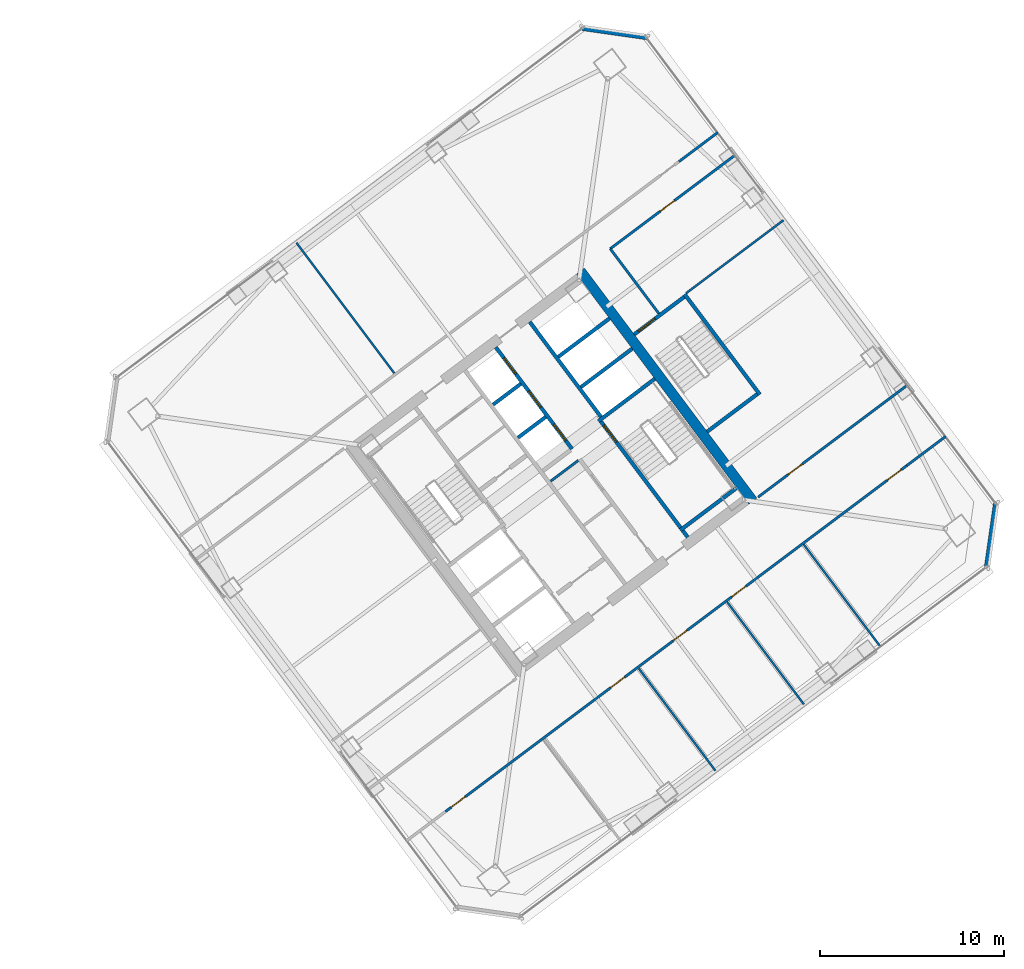
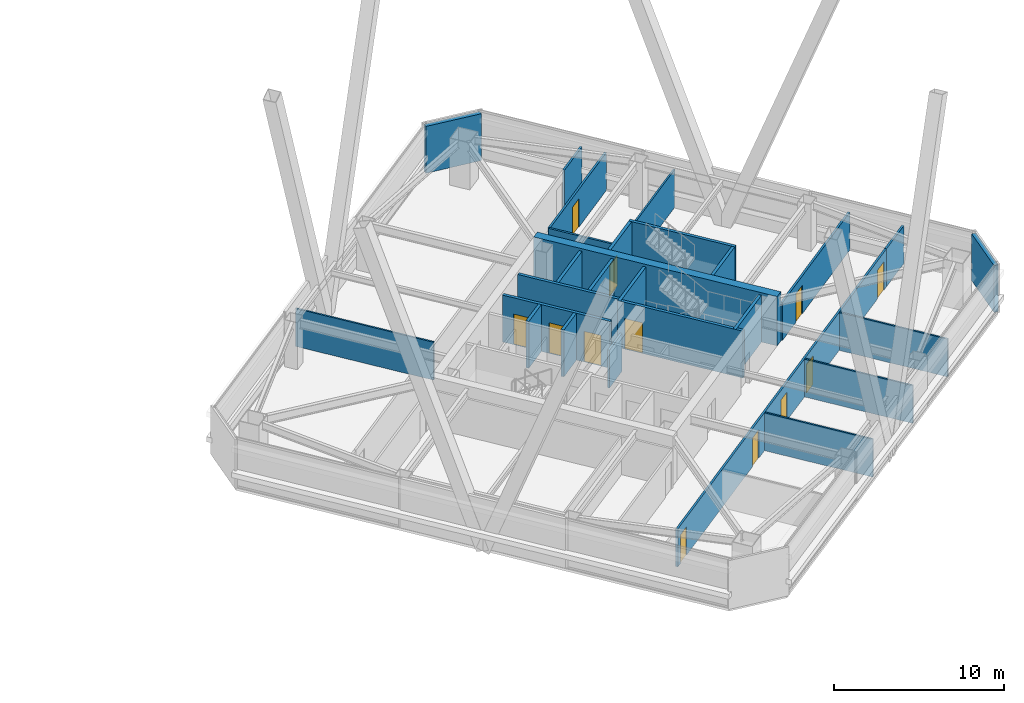
# One storey, part 43 of 50: 27 walls, 12 doors, 12 openings.
"""IFC4 building model written with IfcOpenShell, lengths in metres."""

import ifcopenshell
import ifcopenshell.guid

model = None  # the IFC model being written
_history = None  # IfcOwnerHistory: only IFC2X3 demands one
_inside = {}  # id of a spatial element -> (the spatial element, [elements in it])
_under = {}  # id of a project, library or spatial element -> (it, [spatial elements below it])
_declared = {}  # id of a project -> (the project, [libraries it declares])
_typed = {}  # id of a type object -> (the type object, [elements of that type])
_made_of = {}  # id of a material, layer set ... -> (it, [elements and type objects made of it])


def new_model(schema):
    """Start an empty IFC model of exactly this schema.

    Asked for "IFC4X3", IfcOpenShell would pick the latest addendum, in which some entities
    have other attributes; the version numbers below select the first issue.
    IFC2X3 requires an IfcOwnerHistory on every rooted entity: one is made here for all.
    """
    global model, _history
    if schema == "IFC4X3":
        model = ifcopenshell.file(schema_version=(4, 3, 0, 0))
    else:
        model = ifcopenshell.file(schema=schema)
    _inside.clear()
    _under.clear()
    _declared.clear()
    _typed.clear()
    _made_of.clear()
    _history = None
    if model.schema == "IFC2X3":
        org = make("IfcOrganization", Name="unknown")
        user = make(
            "IfcPersonAndOrganization",
            ThePerson=make("IfcPerson", FamilyName="unknown"),
            TheOrganization=org,
        )
        app = make(
            "IfcApplication",
            ApplicationDeveloper=org,
            Version="unknown",
            ApplicationFullName="unknown",
            ApplicationIdentifier="unknown",
        )
        _history = make(
            "IfcOwnerHistory",
            OwningUser=user,
            OwningApplication=app,
            ChangeAction="ADDED",
            CreationDate=0,
        )
    return model


def make(cls, **values):
    """One entity of the class cls with the attributes given. An attribute that is None is left unset."""
    return model.create_entity(
        cls, **{name: value for name, value in values.items() if value is not None}
    )


def rooted(cls, **values):
    """An entity with a GlobalId (a new one), such as an element, a storey or a relation."""
    return make(cls, GlobalId=ifcopenshell.guid.new(), OwnerHistory=_history, **values)


def si_unit(unit_type, name, prefix=None):
    """IfcSIUnit, for example si_unit("LENGTHUNIT", "METRE", prefix="MILLI")."""
    return make("IfcSIUnit", UnitType=unit_type, Prefix=prefix, Name=name)


def assignment(units):
    """IfcUnitAssignment: the units of a project."""
    return None if units is None else make("IfcUnitAssignment", Units=units)


def point(xyz):
    """IfcCartesianPoint."""
    return None if xyz is None else make("IfcCartesianPoint", Coordinates=xyz)


def direction(xyz):
    """IfcDirection."""
    return None if xyz is None else make("IfcDirection", DirectionRatios=xyz)


def frame(location, z_axis=None, x_axis=None):
    """IfcAxis2Placement3D, a coordinate frame: its origin and axes. An axis left out is left unset."""
    return make(
        "IfcAxis2Placement3D",
        Location=point(location),
        Axis=direction(z_axis),
        RefDirection=direction(x_axis),
    )


def frame_2d(location, x_axis=None):
    """IfcAxis2Placement2D, a coordinate frame in the plane: its origin and x axis."""
    return make(
        "IfcAxis2Placement2D", Location=point(location), RefDirection=direction(x_axis)
    )


def origin():
    """The frame at (0, 0, 0) with its axes left unset."""
    return frame((0.0, 0.0, 0.0))


def place(relative_to, where):
    """IfcLocalPlacement: puts the frame where relative to a parent placement (None: the world)."""
    return make(
        "IfcLocalPlacement", PlacementRelTo=relative_to, RelativePlacement=where
    )


def context(
    kind, dimensions, precision=None, world=None, true_north=None, identifier=None
):
    """IfcGeometricRepresentationContext, for example the 3D "Model" context."""
    return make(
        "IfcGeometricRepresentationContext",
        ContextIdentifier=identifier,
        ContextType=kind,
        CoordinateSpaceDimension=dimensions,
        Precision=precision,
        WorldCoordinateSystem=world,
        TrueNorth=true_north,
    )


def subcontext(parent, identifier, kind, view, scale=None):
    """IfcGeometricRepresentationSubContext, for example "Body" below "Model"."""
    return make(
        "IfcGeometricRepresentationSubContext",
        ContextIdentifier=identifier,
        ContextType=kind,
        ParentContext=parent,
        TargetScale=scale,
        TargetView=view,
    )


def project(units=None, contexts=None):
    """IfcProject with its units and contexts."""
    return rooted(
        "IfcProject",
        Name="project",
        RepresentationContexts=contexts,
        UnitsInContext=assignment(units),
    )


def spatial(cls, under=None, at=None, **own):
    """A site, building, storey or space (cls), placed at a placement, below another one or the project."""
    s = rooted(cls, ObjectPlacement=at, **own)
    if under is not None:
        _under.setdefault(under.id(), (under, []))[1].append(s)
    return s


def profile(cls, at=None, kind="AREA", **sizes):
    """A parametric profile (cls). Its sizes go by their IFC names, for example OverallWidth=200.0."""
    return make(cls, ProfileType=kind, Position=at, **sizes)


def rectangle(**sizes):
    """IfcRectangleProfileDef."""
    return profile("IfcRectangleProfileDef", **sizes)


def extrude(swept, where, along, depth):
    """IfcExtrudedAreaSolid: the profile swept, set in the frame where, extruded along a direction by depth."""
    return make(
        "IfcExtrudedAreaSolid",
        SweptArea=swept,
        Position=where,
        ExtrudedDirection=direction(along),
        Depth=depth,
    )


def shape(context_of_items, identifier, shape_type, items):
    """IfcShapeRepresentation: the items that make up one representation, for example the "Body"."""
    return make(
        "IfcShapeRepresentation",
        ContextOfItems=context_of_items,
        RepresentationIdentifier=identifier,
        RepresentationType=shape_type,
        Items=items,
    )


def material(Name=None, Category=None):
    """IfcMaterial."""
    return make("IfcMaterial", Name=Name, Category=Category)


def layer(
    of_material, thickness, ventilated=None, Name=None, Category=None, Priority=None
):
    """IfcMaterialLayer: one layer of a wall or slab, of a material (None: an air gap)."""
    return make(
        "IfcMaterialLayer",
        Material=of_material,
        LayerThickness=thickness,
        IsVentilated=ventilated,
        Name=Name,
        Category=Category,
        Priority=Priority,
    )


def layer_set(layers, Name=None):
    """IfcMaterialLayerSet."""
    return make("IfcMaterialLayerSet", MaterialLayers=layers, LayerSetName=Name)


def made_of(thing, what):
    """Note that an element or type object is made of a material, layer set ...; save() writes the relation."""
    if what is not None:
        _made_of.setdefault(what.id(), (what, []))[1].append(thing)
    return thing


def type_object(cls, material=None, **own):
    """A type object (cls), such as IfcWallType, which elements share."""
    return made_of(rooted(cls, **own), material)


def element(
    cls,
    number,
    at=None,
    inside=None,
    cuts=None,
    type_object=None,
    material=None,
    context=None,
    identifier="Body",
    shape_type=None,
    held_by="IfcProductDefinitionShape",
    body=None,
    shapes=None,
    **own,
):
    """One element of the class cls, such as IfcWall. Its Tag is "e" and its number.

    at: its placement. inside: the storey or other place that contains it. cuts: it is an
    opening in that element (IfcRelVoidsElement). A single representation is given by context,
    identifier, shape_type and body (its items); several are given by shapes. held_by: the class
    of the entity that holds the representations. save() writes the other relations.
    """
    e = rooted(cls, Tag="e%d" % number, ObjectPlacement=at, **own)
    if body is not None:
        shapes = [shape(context, identifier, shape_type, body)]
    if shapes is not None:
        e.Representation = make(held_by, Representations=shapes)
    if inside is not None:
        _inside.setdefault(inside.id(), (inside, []))[1].append(e)
    if cuts is not None:
        rooted(
            "IfcRelVoidsElement", RelatingBuildingElement=cuts, RelatedOpeningElement=e
        )
    if type_object is not None:
        _typed.setdefault(type_object.id(), (type_object, []))[1].append(e)
    return made_of(e, material)


def fill(opening, filler):
    """IfcRelFillsElement: the door or window that sits in an opening."""
    return rooted(
        "IfcRelFillsElement",
        RelatingOpeningElement=opening,
        RelatedBuildingElement=filler,
    )


def aggregate(whole, parts):
    """IfcRelAggregates: a whole, such as a stair, and the parts it consists of."""
    return rooted("IfcRelAggregates", RelatingObject=whole, RelatedObjects=parts)


def save(model, path):
    """Write the relations noted so far, then the file.

    IfcRelAggregates (storeys below a building ...), IfcRelContainedInSpatialStructure (elements
    in a storey), IfcRelDefinesByType, IfcRelAssociatesMaterial and IfcRelDeclares: one each for
    every whole, place, type object, material and project.
    """
    for whole, parts in _under.values():
        aggregate(whole, parts)
    for where, things in _inside.values():
        rooted(
            "IfcRelContainedInSpatialStructure",
            RelatedElements=things,
            RelatingStructure=where,
        )
    for kind, things in _typed.values():
        rooted("IfcRelDefinesByType", RelatedObjects=things, RelatingType=kind)
    for what, things in _made_of.values():
        rooted("IfcRelAssociatesMaterial", RelatedObjects=things, RelatingMaterial=what)
    for by, libraries in _declared.values():
        rooted("IfcRelDeclares", RelatingContext=by, RelatedDefinitions=libraries)
    model.write(path)


model = new_model("IFC4")

# Units and contexts
model_context = context("Model", 3, precision=1e-05, world=origin(), true_north=direction((0.0, 1.0)))
body_context = subcontext(model_context, "Body", "Model", "MODEL_VIEW")
ifc_project = project(units=[si_unit("LENGTHUNIT", "METRE"), si_unit("AREAUNIT", "SQUARE_METRE"), si_unit("VOLUMEUNIT", "CUBIC_METRE"), si_unit("PLANEANGLEUNIT", "RADIAN"), si_unit("MASSUNIT", "GRAM", prefix="KILO")], contexts=[model_context])

# Site, building, storey
site_placement = place(None, origin())
site = spatial("IfcSite", under=ifc_project, at=site_placement, CompositionType="ELEMENT")
building_placement = place(site_placement, origin())
building = spatial("IfcBuilding", under=site, at=building_placement, Name="Tashvorn Skyway Center", CompositionType="ELEMENT")
storey_placement = place(building_placement, frame((0.0, 0.0, 114.39990234375)))
storey = spatial("IfcBuildingStorey", under=building, at=storey_placement, Name="L30", CompositionType="ELEMENT", Elevation=114.39990234375)

# Walls
ifc_material_1 = material(Name="Concrete C60/75", Category="concrete")
ifc_layer_1 = layer(ifc_material_1, 0.550048828125)
ifc_layer_set_1 = layer_set([ifc_layer_1], Name="Concrete C60/75")
wall_type_1 = type_object("IfcWallType", Name="WALL-CORE-550", PredefinedType="SHEAR", material=ifc_layer_set_1)
wall_1_placement = place(storey_placement, frame((115.56396484375, 42.923095703125, 0.0), z_axis=(0.0, 0.0, 1.0), x_axis=(0.600005007985, -0.799996243986, 0.0)))
element("IfcWall", 1, at=wall_1_placement, inside=storey, type_object=wall_type_1, Name="Tower 2 L30 East Core Shear Wall", PredefinedType="SHEAR", context=body_context, shape_type="SweptSolid", body=[
    extrude(rectangle(XDim=15.60009765625, YDim=0.550048828125, at=frame_2d((7.800048828125, 0.0))), origin(), (0.0, 0.0, 1.0), 3.550048828125),
])
ifc_material_2 = material(Name="Precast concrete C40/50", Category="concrete")
ifc_layer_2 = layer(ifc_material_2, 0.280029296875)
ifc_layer_set_2 = layer_set([ifc_layer_2], Name="Precast concrete C40/50")
wall_type_2 = type_object("IfcWallType", Name="WALL-EXT-280", PredefinedType="SOLIDWALL", material=ifc_layer_set_2)
for number, where, z_axis, x_axis, name in (
    (2, (115.659912109375, 56.1201171875, 0.0), (0.0, 0.0, 1.0), (0.989949493661, -0.141421356237, 0.0), "Tower 2 L30 NE Precast Chamfer Wall"),
    (3, (138.1201171875, 30.340087890625, 0.0), (0.0, 0.0, 1.0), (-0.141421356237, -0.989949493661, 0.0), "Tower 2 L30 SE Precast Chamfer Wall"),
):
    element("IfcWall", number, at=place(storey_placement, frame(where, z_axis=z_axis, x_axis=x_axis)), inside=storey, type_object=wall_type_2, Name=name, PredefinedType="SOLIDWALL", context=body_context, shape_type="SweptSolid", body=[
        extrude(rectangle(XDim=3.53564453125, YDim=0.280029296875, at=frame_2d((1.767822265625, 0.0))), origin(), (0.0, 0.0, 1.0), 3.3701171875),
    ])
ifc_material_3 = material(Name="Gypsum board on cold-formed steel stud framing", Category="steel")
ifc_layer_3 = layer(ifc_material_3, 0.110107421875)
ifc_layer_set_3 = layer_set([ifc_layer_3], Name="Gypsum board on cold-formed steel stud framing")
wall_type_3 = type_object("IfcWallType", Name="WALL-PART-110", PredefinedType="PARTITIONING", material=ifc_layer_set_3)
wall_2_placement = place(storey_placement, frame((105.4619140625, 37.384033203125, 0.0), z_axis=(0.0, 0.0, 1.0), x_axis=(-0.599982344389, 0.800013241404, 0.0)))
element("IfcWall", 4, at=wall_2_placement, inside=storey, type_object=wall_type_3, Name="Tower 2 L30 North Suite Partition 1", PredefinedType="PARTITIONING", context=body_context, shape_type="SweptSolid", body=[
    extrude(rectangle(XDim=8.849853515625, YDim=0.110107421875, at=frame_2d((4.4248046875, 0.0))), origin(), (0.0, 0.0, 1.0), 2.72314453125),
])
wall_3_placement = place(storey_placement, frame((122.887939453125, 15.81591796875, 0.0), z_axis=(0.0, 0.0, 1.0), x_axis=(-0.599983090003, 0.800012682219, 0.0)))
element("IfcWall", 5, at=wall_3_placement, inside=storey, type_object=wall_type_3, Name="Tower 2 L30 South Suite Partition 2", PredefinedType="PARTITIONING", context=body_context, shape_type="SweptSolid", body=[
    extrude(rectangle(XDim=6.93017578125, YDim=0.110107421875, at=frame_2d((3.465087890625, 0.0))), origin(), (0.0, 0.0, 1.0), 2.72314453125),
])
wall_4_placement = place(storey_placement, frame((127.68798828125, 19.416015625, 0.0), z_axis=(0.0, 0.0, 1.0), x_axis=(-0.6, 0.8, 0.0)))
element("IfcWall", 6, at=wall_4_placement, inside=storey, type_object=wall_type_3, Name="Tower 2 L30 South Suite Partition 3", PredefinedType="PARTITIONING", context=body_context, shape_type="SweptSolid", body=[
    extrude(rectangle(XDim=6.929931640625, YDim=0.110107421875, at=frame_2d((3.46484375, 0.0))), origin(), (0.0, 0.0, 1.0), 2.72314453125),
])
wall_5_placement = place(storey_placement, frame((131.847900390625, 22.535888671875, 0.0), z_axis=(0.0, 0.0, 1.0), x_axis=(-0.599983090003, 0.800012682219, 0.0)))
element("IfcWall", 7, at=wall_5_placement, inside=storey, type_object=wall_type_3, Name="Tower 2 L30 South Suite Partition 4", PredefinedType="PARTITIONING", context=body_context, shape_type="SweptSolid", body=[
    extrude(rectangle(XDim=6.93017578125, YDim=0.110107421875, at=frame_2d((3.465087890625, 0.0))), origin(), (0.0, 0.0, 1.0), 2.72314453125),
])
wall_6_placement = place(storey_placement, frame((126.583984375, 45.68798828125, 0.0), z_axis=(0.0, 0.0, 1.0), x_axis=(-0.800004438899, -0.599994081423, 0.0)))
element("IfcWall", 8, at=wall_6_placement, inside=storey, type_object=wall_type_3, Name="Tower 2 L30 East Suite Partition 1", PredefinedType="PARTITIONING", context=body_context, shape_type="SweptSolid", body=[
    extrude(rectangle(XDim=6.60009765625, YDim=0.110107421875, at=frame_2d((3.300048828125, 0.0))), origin(), (0.0, 0.0, 1.0), 2.72314453125),
])
ifc_layer_4 = layer(ifc_material_3, 0.135009765625)
ifc_layer_set_4 = layer_set([ifc_layer_4], Name="Gypsum board on cold-formed steel stud framing")
wall_type_4 = type_object("IfcWallType", Name="WALL-PART-135", PredefinedType="PARTITIONING", material=ifc_layer_set_4)
wall_7_placement = place(storey_placement, frame((119.823974609375, 40.617919921875, 0.0), z_axis=(0.0, 0.0, 1.0), x_axis=(-0.599982243973, 0.800013316712, 0.0)))
element("IfcWall", 9, at=wall_7_placement, inside=storey, type_object=wall_type_4, Name="Tower 2 L30 Stair 3 Access Corridor Wall", PredefinedType="PARTITIONING", context=body_context, shape_type="SweptSolid", body=[
    extrude(rectangle(XDim=4.39990234375, YDim=0.135009765625, at=frame_2d((2.199951171875, 0.0))), origin(), (0.0, 0.0, 1.0), 2.72314453125),
])
wall_8_placement = place(storey_placement, frame((120.909912109375, 48.8701171875, 0.0), z_axis=(0.0, 0.0, 1.0), x_axis=(0.80002227902, 0.599970293491, 0.0)))
element("IfcWall", 10, at=wall_8_placement, inside=storey, type_object=wall_type_4, Name="Tower 2 L30 North-East Suite South Wall", PredefinedType="PARTITIONING", context=body_context, shape_type="SweptSolid", body=[
    extrude(rectangle(XDim=2.6298828125, YDim=0.135009765625, at=frame_2d((1.31494140625, 0.0))), origin(), (0.0, 0.0, 1.0), 2.72314453125),
])

# Wall, openings, doors
wall_9_placement = place(storey_placement, frame((133.281982421875, 32.3740234375, 0.0), z_axis=(0.0, 0.0, 1.0), x_axis=(-0.8, -0.6, 0.0)))
wall_9 = element("IfcWall", 11, at=wall_9_placement, inside=storey, type_object=wall_type_4, Name="Tower 2 L30 South Suite Wall", PredefinedType="PARTITIONING", context=body_context, shape_type="SweptSolid", body=[
    extrude(rectangle(XDim=31.300048828125, YDim=0.135009765625, at=frame_2d((15.64990234375, 0.0))), origin(), (0.0, 0.0, 1.0), 2.72314453125),
])
opening_1_placement = place(wall_9_placement, frame((29.969970703125, 0.0, 0.0)))
opening_1 = element("IfcOpeningElement", 12, at=opening_1_placement, cuts=wall_9, Name="Opening D-INT-950", PredefinedType="OPENING", context=body_context, shape_type="SweptSolid", body=[
    extrude(rectangle(XDim=0.949951171875, YDim=2.050048828125, at=frame_2d((0.47509765625, 1.02490234375))), frame((0.0, 0.077392578125, 0.0), z_axis=(0.0, -1.0, 0.0), x_axis=(1.0, 0.0, 0.0)), (0.0, 0.0, 1.0), 0.155029296875),
])
opening_2_placement = place(wall_9_placement, frame((19.151123046875, 0.0, 0.0)))
opening_2 = element("IfcOpeningElement", 13, at=opening_2_placement, cuts=wall_9, Name="Opening D-INT-950", PredefinedType="OPENING", context=body_context, shape_type="SweptSolid", body=[
    extrude(rectangle(XDim=0.949951171875, YDim=2.050048828125, at=frame_2d((0.47509765625, 1.02490234375))), frame((0.0, 0.077392578125, 0.0), z_axis=(0.0, -1.0, 0.0), x_axis=(1.0, 0.0, 0.0)), (0.0, 0.0, 1.0), 0.155029296875),
])
opening_3_placement = place(wall_9_placement, frame((14.901123046875, 0.0, 0.0)))
opening_3 = element("IfcOpeningElement", 14, at=opening_3_placement, cuts=wall_9, Name="Opening D-INT-950", PredefinedType="OPENING", context=body_context, shape_type="SweptSolid", body=[
    extrude(rectangle(XDim=0.949951171875, YDim=2.050048828125, at=frame_2d((0.47509765625, 1.02490234375))), frame((0.0, 0.077392578125, 0.0), z_axis=(0.0, -1.0, 0.0), x_axis=(1.0, 0.0, 0.0)), (0.0, 0.0, 1.0), 0.155029296875),
])
opening_4_placement = place(wall_9_placement, frame((10.919921875, 0.0, 0.0)))
opening_4 = element("IfcOpeningElement", 15, at=opening_4_placement, cuts=wall_9, Name="Opening D-INT-950", PredefinedType="OPENING", context=body_context, shape_type="SweptSolid", body=[
    extrude(rectangle(XDim=0.949951171875, YDim=2.050048828125, at=frame_2d((0.47509765625, 1.02490234375))), frame((0.0, 0.077392578125, 0.0), z_axis=(0.0, -1.0, 0.0), x_axis=(1.0, 0.0, 0.0)), (0.0, 0.0, 1.0), 0.155029296875),
])
opening_5_placement = place(wall_9_placement, frame((0.3798828125, 0.0, 0.0)))
opening_5 = element("IfcOpeningElement", 16, at=opening_5_placement, cuts=wall_9, Name="Opening D-INT-950", PredefinedType="OPENING", context=body_context, shape_type="SweptSolid", body=[
    extrude(rectangle(XDim=0.949951171875, YDim=2.050048828125, at=frame_2d((0.47509765625, 1.02490234375))), frame((0.0, 0.077392578125, 0.0), z_axis=(0.0, -1.0, 0.0), x_axis=(1.0, 0.0, 0.0)), (0.0, 0.0, 1.0), 0.155029296875),
])
ifc_material_4 = material(Name="Solid-core architectural oak veneer door")
door_type_1 = type_object("IfcDoorType", Name="DOOR-INT-950", OperationType="NOTDEFINED", PredefinedType="DOOR", material=ifc_material_4)
door_1_placement = place(opening_1_placement, origin())
door_1 = element("IfcDoor", 17, at=door_1_placement, inside=storey, type_object=door_type_1, Name="Tower 2 L30 Executive Study Lounge Door", OperationType="SINGLE_SWING_RIGHT", OverallHeight=2.050048828125, OverallWidth=0.949951171875, PredefinedType="DOOR", context=body_context, shape_type="SweptSolid", body=[
    extrude(rectangle(XDim=0.949951171875, YDim=2.050048828125, at=frame_2d((0.47509765625, 1.02490234375))), frame((0.0, 0.02490234375, 0.0), z_axis=(0.0, -1.0, 0.0), x_axis=(1.0, 0.0, 0.0)), (0.0, 0.0, 1.0), 0.050048828125),
])
fill(opening_1, door_1)
door_2_placement = place(opening_2_placement, origin())
door_2 = element("IfcDoor", 18, at=door_2_placement, inside=storey, type_object=door_type_1, Name="Tower 2 L30 Design Studio Door", OperationType="SINGLE_SWING_LEFT", OverallHeight=2.050048828125, OverallWidth=0.949951171875, PredefinedType="DOOR", context=body_context, shape_type="SweptSolid", body=[
    extrude(rectangle(XDim=0.949951171875, YDim=2.050048828125, at=frame_2d((0.47509765625, 1.02490234375))), frame((0.0, 0.02490234375, 0.0), z_axis=(0.0, -1.0, 0.0), x_axis=(1.0, 0.0, 0.0)), (0.0, 0.0, 1.0), 0.050048828125),
])
fill(opening_2, door_2)
door_3_placement = place(opening_3_placement, origin())
door_3 = element("IfcDoor", 19, at=door_3_placement, inside=storey, type_object=door_type_1, Name="Tower 2 L30 Design Studio Door", OperationType="SINGLE_SWING_RIGHT", OverallHeight=2.050048828125, OverallWidth=0.949951171875, PredefinedType="DOOR", context=body_context, shape_type="SweptSolid", body=[
    extrude(rectangle(XDim=0.949951171875, YDim=2.050048828125, at=frame_2d((0.47509765625, 1.02490234375))), frame((0.0, 0.02490234375, 0.0), z_axis=(0.0, -1.0, 0.0), x_axis=(1.0, 0.0, 0.0)), (0.0, 0.0, 1.0), 0.050048828125),
])
fill(opening_3, door_3)
door_4_placement = place(opening_4_placement, origin())
door_4 = element("IfcDoor", 20, at=door_4_placement, inside=storey, type_object=door_type_1, Name="Tower 2 L30 Reading Lounge Door", OperationType="SINGLE_SWING_LEFT", OverallHeight=2.050048828125, OverallWidth=0.949951171875, PredefinedType="DOOR", context=body_context, shape_type="SweptSolid", body=[
    extrude(rectangle(XDim=0.949951171875, YDim=2.050048828125, at=frame_2d((0.47509765625, 1.02490234375))), frame((0.0, 0.02490234375, 0.0), z_axis=(0.0, -1.0, 0.0), x_axis=(1.0, 0.0, 0.0)), (0.0, 0.0, 1.0), 0.050048828125),
])
fill(opening_4, door_4)
door_5_placement = place(opening_5_placement, origin())
door_5 = element("IfcDoor", 21, at=door_5_placement, inside=storey, type_object=door_type_1, Name="Tower 2 L30 Open Plan Office Door", OperationType="SINGLE_SWING_RIGHT", OverallHeight=2.050048828125, OverallWidth=0.949951171875, PredefinedType="DOOR", context=body_context, shape_type="SweptSolid", body=[
    extrude(rectangle(XDim=0.949951171875, YDim=2.050048828125, at=frame_2d((0.47509765625, 1.02490234375))), frame((0.0, 0.02490234375, 0.0), z_axis=(0.0, -1.0, 0.0), x_axis=(1.0, 0.0, 0.0)), (0.0, 0.0, 1.0), 0.050048828125),
])
fill(opening_5, door_5)

# Wall
wall_10_placement = place(storey_placement, frame((133.281982421875, 32.3740234375, 0.0), z_axis=(0.0, 0.0, 1.0), x_axis=(0.80002227902, 0.599970293491, 0.0)))
element("IfcWall", 22, at=wall_10_placement, inside=storey, type_object=wall_type_4, Name="Tower 2 L30 South-East Suite North Wall", PredefinedType="PARTITIONING", context=body_context, shape_type="SweptSolid", body=[
    extrude(rectangle(XDim=2.6298828125, YDim=0.135009765625, at=frame_2d((1.31494140625, 0.0))), origin(), (0.0, 0.0, 1.0), 2.72314453125),
])

# Wall, opening, door
wall_11_placement = place(storey_placement, frame((123.944091796875, 49.2080078125, 0.0), z_axis=(0.0, 0.0, 1.0), x_axis=(-0.799996532921, -0.600004622744, 0.0)))
wall_11 = element("IfcWall", 23, at=wall_11_placement, inside=storey, type_object=wall_type_4, Name="Tower 2 L30 East Suite North Wall", PredefinedType="PARTITIONING", context=body_context, shape_type="SweptSolid", body=[
    extrude(rectangle(XDim=8.449951171875, YDim=0.135009765625, at=frame_2d((4.22509765625, 0.0))), origin(), (0.0, 0.0, 1.0), 2.72314453125),
])
opening_6_placement = place(wall_11_placement, frame((4.10009765625, 0.0, 0.0)))
opening_6 = element("IfcOpeningElement", 24, at=opening_6_placement, cuts=wall_11, Name="Opening D-INT-950", PredefinedType="OPENING", context=body_context, shape_type="SweptSolid", body=[
    extrude(rectangle(XDim=0.949951171875, YDim=2.050048828125, at=frame_2d((0.47509765625, 1.02490234375))), frame((0.0, 0.077392578125, 0.0), z_axis=(0.0, -1.0, 0.0), x_axis=(1.0, 0.0, 0.0)), (0.0, 0.0, 1.0), 0.155029296875),
])
door_6_placement = place(opening_6_placement, origin())
door_6 = element("IfcDoor", 25, at=door_6_placement, inside=storey, type_object=door_type_1, Name="Tower 2 L30 Open Plan Office Door", OperationType="SINGLE_SWING_LEFT", OverallHeight=2.050048828125, OverallWidth=0.949951171875, PredefinedType="DOOR", context=body_context, shape_type="SweptSolid", body=[
    extrude(rectangle(XDim=0.949951171875, YDim=2.050048828125, at=frame_2d((0.47509765625, 1.02490234375))), frame((0.0, 0.02490234375, 0.0), z_axis=(0.0, -1.0, 0.0), x_axis=(1.0, 0.0, 0.0)), (0.0, 0.0, 1.0), 0.050048828125),
])
fill(opening_6, door_6)

wall_12_placement = place(storey_placement, frame((125.2080078125, 30.656005859375, 0.0), z_axis=(0.0, 0.0, 1.0), x_axis=(0.799997105034, 0.600003859935, 0.0)))
wall_12 = element("IfcWall", 26, at=wall_12_placement, inside=storey, type_object=wall_type_4, Name="Tower 2 L30 East Suite South Wall", PredefinedType="PARTITIONING", context=body_context, shape_type="SweptSolid", body=[
    extrude(rectangle(XDim=10.119873046875, YDim=0.135009765625, at=frame_2d((5.06005859375, 0.0))), origin(), (0.0, 0.0, 1.0), 2.72314453125),
])
opening_7_placement = place(wall_12_placement, frame((2.044921875, 0.0, 0.0)))
opening_7 = element("IfcOpeningElement", 27, at=opening_7_placement, cuts=wall_12, Name="Opening D-INT-950", PredefinedType="OPENING", context=body_context, shape_type="SweptSolid", body=[
    extrude(rectangle(XDim=0.949951171875, YDim=2.050048828125, at=frame_2d((0.47509765625, 1.02490234375))), frame((0.0, 0.077392578125, 0.0), z_axis=(0.0, -1.0, 0.0), x_axis=(1.0, 0.0, 0.0)), (0.0, 0.0, 1.0), 0.155029296875),
])
door_7_placement = place(opening_7_placement, origin())
door_7 = element("IfcDoor", 28, at=door_7_placement, inside=storey, type_object=door_type_1, Name="Tower 2 L30 Public Restroom Door", OperationType="SINGLE_SWING_RIGHT", OverallHeight=2.050048828125, OverallWidth=0.949951171875, PredefinedType="DOOR", context=body_context, shape_type="SweptSolid", body=[
    extrude(rectangle(XDim=0.949951171875, YDim=2.050048828125, at=frame_2d((0.47509765625, 1.02490234375))), frame((0.0, 0.02490234375, 0.0), z_axis=(0.0, -1.0, 0.0), x_axis=(1.0, 0.0, 0.0)), (0.0, 0.0, 1.0), 0.050048828125),
])
fill(opening_7, door_7)

# Walls
ifc_layer_5 = layer(ifc_material_3, 0.135009765625)
ifc_layer_set_5 = layer_set([ifc_layer_5], Name="Gypsum board on cold-formed steel stud framing")
wall_type_5 = type_object("IfcWallType", Name="WALL-RATED-135", PredefinedType="PARTITIONING", material=ifc_layer_set_5)
wall_13_placement = place(storey_placement, frame((113.946044921875, 31.52197265625, 0.0), z_axis=(0.0, 0.0, 1.0), x_axis=(0.8, 0.6, 0.0)))
element("IfcWall", 29, at=wall_13_placement, inside=storey, type_object=wall_type_5, Name="Tower 2 L30 Core Room Partition", PredefinedType="PARTITIONING", context=body_context, shape_type="SweptSolid", body=[
    extrude(rectangle(XDim=1.8798828125, YDim=0.135009765625, at=frame_2d((0.93994140625, 0.0))), origin(), (0.0, 0.0, 1.0), 2.72314453125),
])
ifc_material_5 = material(Name="Concrete C40/50", Category="concrete")
ifc_layer_6 = layer(ifc_material_5, 0.199951171875)
ifc_layer_set_6 = layer_set([ifc_layer_6], Name="Concrete C40/50")
wall_type_6 = type_object("IfcWallType", Name="WALL-SHAFT-200", PredefinedType="SOLIDWALL", material=ifc_layer_set_6)
for number, where, z_axis, x_axis, name in (
    (30, (115.590087890625, 36.6298828125, 0.0), (0.0, 0.0, 1.0), (0.799974743577, 0.600033673754, 0.0), "Tower 2 L30 High-Rise Shaft Divider"),
    (31, (114.360107421875, 38.27001953125, 0.0), (0.0, 0.0, 1.0), (0.800008418847, 0.599988774707, 0.0), "Tower 2 L30 High-Rise Shaft Divider"),
):
    element("IfcWall", number, at=place(storey_placement, frame(where, z_axis=z_axis, x_axis=x_axis)), inside=storey, type_object=wall_type_6, Name=name, PredefinedType="SOLIDWALL", context=body_context, shape_type="SweptSolid", body=[
        extrude(rectangle(XDim=3.47998046875, YDim=0.199951171875, at=frame_2d((1.739990234375, 0.0))), origin(), (0.0, 0.0, 1.0), 3.3701171875),
    ])

# Wall, openings, doors
wall_14_placement = place(storey_placement, frame((115.110107421875, 33.27001953125, 0.0), z_axis=(0.0, 0.0, 1.0), x_axis=(-0.600011322243, 0.799991508192, 0.0)))
wall_14 = element("IfcWall", 32, at=wall_14_placement, inside=storey, type_object=wall_type_6, Name="Tower 2 L30 Mid-Rise Core Wall", PredefinedType="SOLIDWALL", context=body_context, shape_type="SweptSolid", body=[
    extrude(rectangle(XDim=6.900146484375, YDim=0.199951171875, at=frame_2d((3.4501953125, 0.0))), origin(), (0.0, 0.0, 1.0), 3.3701171875),
])
opening_8_placement = place(wall_14_placement, frame((0.574951171875, 0.0, 0.0)))
opening_8 = element("IfcOpeningElement", 33, at=opening_8_placement, cuts=wall_14, Name="Opening LD-MR-T2-1-L30", PredefinedType="OPENING", context=body_context, shape_type="SweptSolid", body=[
    extrude(rectangle(XDim=1.10009765625, YDim=2.199951171875, at=frame_2d((0.550048828125, 1.10009765625))), frame((0.0, 0.10986328125, 0.0), z_axis=(0.0, -1.0, 0.0), x_axis=(1.0, 0.0, 0.0)), (0.0, 0.0, 1.0), 0.219970703125),
])
opening_9_placement = place(wall_14_placement, frame((2.824951171875, 0.0, 0.0)))
opening_9 = element("IfcOpeningElement", 34, at=opening_9_placement, cuts=wall_14, Name="Opening LD-MR-T2-2-L30", PredefinedType="OPENING", context=body_context, shape_type="SweptSolid", body=[
    extrude(rectangle(XDim=1.10009765625, YDim=2.199951171875, at=frame_2d((0.550048828125, 1.10009765625))), frame((0.0, 0.10986328125, 0.0), z_axis=(0.0, -1.0, 0.0), x_axis=(1.0, 0.0, 0.0)), (0.0, 0.0, 1.0), 0.219970703125),
])
opening_10_placement = place(wall_14_placement, frame((5.074951171875, 0.0, 0.0)))
opening_10 = element("IfcOpeningElement", 35, at=opening_10_placement, cuts=wall_14, Name="Opening LD-MR-T2-3-L30", PredefinedType="OPENING", context=body_context, shape_type="SweptSolid", body=[
    extrude(rectangle(XDim=1.10009765625, YDim=2.199951171875, at=frame_2d((0.550048828125, 1.10009765625))), frame((0.0, 0.10986328125, 0.0), z_axis=(0.0, -1.0, 0.0), x_axis=(1.0, 0.0, 0.0)), (0.0, 0.0, 1.0), 0.219970703125),
])
ifc_material_6 = material(Name="Stainless steel landing door", Category="steel")
door_type_2 = type_object("IfcDoorType", Name="DOOR-LIFT-1100", OperationType="SLIDING_TO_LEFT", PredefinedType="DOOR", material=ifc_material_6)
door_8_placement = place(opening_8_placement, origin())
door_8 = element("IfcDoor", 36, at=door_8_placement, inside=storey, type_object=door_type_2, Name="Lift MR-T2-1 L30 Landing Door", OperationType="SLIDING_TO_LEFT", OverallHeight=2.199951171875, OverallWidth=1.10009765625, PredefinedType="DOOR", context=body_context, shape_type="SweptSolid", body=[
    extrude(rectangle(XDim=1.10009765625, YDim=2.199951171875, at=frame_2d((0.550048828125, 1.10009765625))), frame((0.0, 0.02490234375, 0.0), z_axis=(0.0, -1.0, 0.0), x_axis=(1.0, 0.0, 0.0)), (0.0, 0.0, 1.0), 0.050048828125),
])
fill(opening_8, door_8)
door_9_placement = place(opening_9_placement, origin())
door_9 = element("IfcDoor", 37, at=door_9_placement, inside=storey, type_object=door_type_2, Name="Lift MR-T2-2 L30 Landing Door", OperationType="SLIDING_TO_LEFT", OverallHeight=2.199951171875, OverallWidth=1.10009765625, PredefinedType="DOOR", context=body_context, shape_type="SweptSolid", body=[
    extrude(rectangle(XDim=1.10009765625, YDim=2.199951171875, at=frame_2d((0.550048828125, 1.10009765625))), frame((0.0, 0.02490234375, 0.0), z_axis=(0.0, -1.0, 0.0), x_axis=(1.0, 0.0, 0.0)), (0.0, 0.0, 1.0), 0.050048828125),
])
fill(opening_9, door_9)
door_10_placement = place(opening_10_placement, origin())
door_10 = element("IfcDoor", 38, at=door_10_placement, inside=storey, type_object=door_type_2, Name="Lift MR-T2-3 L30 Landing Door", OperationType="SLIDING_TO_LEFT", OverallHeight=2.199951171875, OverallWidth=1.10009765625, PredefinedType="DOOR", context=body_context, shape_type="SweptSolid", body=[
    extrude(rectangle(XDim=1.10009765625, YDim=2.199951171875, at=frame_2d((0.550048828125, 1.10009765625))), frame((0.0, 0.02490234375, 0.0), z_axis=(0.0, -1.0, 0.0), x_axis=(1.0, 0.0, 0.0)), (0.0, 0.0, 1.0), 0.050048828125),
])
fill(opening_10, door_10)

# Walls
wall_15_placement = place(storey_placement, frame((112.176025390625, 33.882080078125, 0.0), z_axis=(0.0, 0.0, 1.0), x_axis=(0.8, 0.6, 0.0)))
element("IfcWall", 39, at=wall_15_placement, inside=storey, type_object=wall_type_6, Name="Tower 2 L30 Mid-Rise Shaft Divider", PredefinedType="SOLIDWALL", context=body_context, shape_type="SweptSolid", body=[
    extrude(rectangle(XDim=1.8798828125, YDim=0.199951171875, at=frame_2d((0.93994140625, 0.0))), origin(), (0.0, 0.0, 1.0), 3.3701171875),
])
wall_16_placement = place(storey_placement, frame((110.825927734375, 35.681884765625, 0.0), z_axis=(0.0, 0.0, 1.0), x_axis=(0.799984418148, 0.600020775241, 0.0)))
element("IfcWall", 40, at=wall_16_placement, inside=storey, type_object=wall_type_6, Name="Tower 2 L30 Mid-Rise Shaft Divider", PredefinedType="SOLIDWALL", context=body_context, shape_type="SweptSolid", body=[
    extrude(rectangle(XDim=1.880126953125, YDim=0.199951171875, at=frame_2d((0.93994140625, 0.0))), origin(), (0.0, 0.0, 1.0), 3.3701171875),
])

# Wall, opening, door
ifc_layer_7 = layer(ifc_material_5, 0.199951171875)
ifc_layer_set_7 = layer_set([ifc_layer_7], Name="Concrete C40/50")
wall_type_7 = type_object("IfcWallType", Name="WALL-STSHF-200", PredefinedType="SHEAR", material=ifc_layer_set_7)
wall_17_placement = place(storey_placement, frame((116.56005859375, 34.919921875, 0.0), z_axis=(0.0, 0.0, 1.0), x_axis=(0.59999029481, -0.8000072788, 0.0)))
wall_17 = element("IfcWall", 41, at=wall_17_placement, inside=storey, type_object=wall_type_7, Name="Tower 2 L30 Stair 2 Enclosure Wall", PredefinedType="SHEAR", context=body_context, shape_type="SweptSolid", body=[
    extrude(rectangle(XDim=8.0498046875, YDim=0.199951171875, at=frame_2d((4.02490234375, 0.0))), origin(), (0.0, 0.0, 1.0), 3.3701171875),
])
opening_11_placement = place(wall_17_placement, frame((0.449951171875, 0.0, 0.0)))
opening_11 = element("IfcOpeningElement", 42, at=opening_11_placement, cuts=wall_17, Name="Opening D-ST-1150", PredefinedType="OPENING", context=body_context, shape_type="SweptSolid", body=[
    extrude(rectangle(XDim=1.14990234375, YDim=2.199951171875, at=frame_2d((0.574951171875, 1.10009765625))), frame((0.0, 0.10986328125, 0.0), z_axis=(0.0, -1.0, 0.0), x_axis=(1.0, 0.0, 0.0)), (0.0, 0.0, 1.0), 0.219970703125),
])
ifc_material_7 = material(Name="Hollow galvanized steel fire door assembly", Category="steel")
door_type_3 = type_object("IfcDoorType", Name="DOOR-STAIR-1150", OperationType="NOTDEFINED", PredefinedType="DOOR", material=ifc_material_7)
door_11_placement = place(opening_11_placement, origin())
door_11 = element("IfcDoor", 43, at=door_11_placement, inside=storey, type_object=door_type_3, Name="Tower 2 L30 Exit Stair 2 Door", OperationType="SINGLE_SWING_RIGHT", OverallHeight=2.199951171875, OverallWidth=1.14990234375, PredefinedType="DOOR", context=body_context, shape_type="SweptSolid", body=[
    extrude(rectangle(XDim=1.14990234375, YDim=2.199951171875, at=frame_2d((0.574951171875, 1.10009765625))), frame((0.0, 0.02490234375, 0.0), z_axis=(0.0, -1.0, 0.0), x_axis=(1.0, 0.0, 0.0)), (0.0, 0.0, 1.0), 0.050048828125),
])
fill(opening_11, door_11)

# Walls
for number, where, z_axis, x_axis, name in (
    (44, (116.5400390625, 34.780029296875, 0.0), (0.0, 0.0, 1.0), (0.800015298837, 0.599979601008, 0.0), "Tower 2 L30 Stair 2 North Wall"),
    (45, (120.97998046875, 28.860107421875, 0.0), (0.0, 0.0, 1.0), (0.800015298837, 0.599979601008, 0.0), "Tower 2 L30 Stair 2 South Wall"),
):
    element("IfcWall", number, at=place(storey_placement, frame(where, z_axis=z_axis, x_axis=x_axis)), inside=storey, type_object=wall_type_7, Name=name, PredefinedType="SHEAR", context=body_context, shape_type="SweptSolid", body=[
        extrude(rectangle(XDim=3.829833984375, YDim=0.199951171875, at=frame_2d((1.9150390625, 0.0))), origin(), (0.0, 0.0, 1.0), 3.3701171875),
    ])
wall_18_placement = place(storey_placement, frame((112.81005859375, 40.169921875, 0.0), z_axis=(0.0, 0.0, 1.0), x_axis=(0.599993943644, -0.800004542231, 0.0)))
element("IfcWall", 46, at=wall_18_placement, inside=storey, type_object=wall_type_7, Name="Tower 2 L30 High-Rise Lift Shaft Front Wall", PredefinedType="SHEAR", context=body_context, shape_type="SweptSolid", body=[
    extrude(rectangle(XDim=6.449951171875, YDim=0.199951171875, at=frame_2d((3.22509765625, 0.0))), origin(), (0.0, 0.0, 1.0), 3.3701171875),
])
wall_19_placement = place(storey_placement, frame((125.303955078125, 36.22802734375, 0.0), z_axis=(0.0, 0.0, 1.0), x_axis=(-0.59998851072, 0.800008616831, 0.0)))
element("IfcWall", 47, at=wall_19_placement, inside=storey, type_object=wall_type_7, Name="Tower 2 L30 Stair 3 Outer Wall", PredefinedType="SHEAR", context=body_context, shape_type="SweptSolid", body=[
    extrude(rectangle(XDim=6.7998046875, YDim=0.199951171875, at=frame_2d((3.39990234375, 0.0))), origin(), (0.0, 0.0, 1.0), 3.3701171875),
])

# Wall, opening, door
wall_20_placement = place(storey_placement, frame((121.2041015625, 41.528076171875, 0.0), z_axis=(0.0, 0.0, 1.0), x_axis=(-0.800017232136, -0.599977023131, 0.0)))
wall_20 = element("IfcWall", 48, at=wall_20_placement, inside=storey, type_object=wall_type_7, Name="Tower 2 L30 Stair 3 Enclosure Wall", PredefinedType="SHEAR", context=body_context, shape_type="SweptSolid", body=[
    extrude(rectangle(XDim=3.400146484375, YDim=0.199951171875, at=frame_2d((1.7001953125, 0.0))), origin(), (0.0, 0.0, 1.0), 3.3701171875),
])
opening_12_placement = place(wall_20_placement, frame((1.97509765625, 0.0, 0.0)))
opening_12 = element("IfcOpeningElement", 49, at=opening_12_placement, cuts=wall_20, Name="Opening D-ST-1150", PredefinedType="OPENING", context=body_context, shape_type="SweptSolid", body=[
    extrude(rectangle(XDim=1.14990234375, YDim=2.199951171875, at=frame_2d((0.574951171875, 1.10009765625))), frame((0.0, 0.10986328125, 0.0), z_axis=(0.0, -1.0, 0.0), x_axis=(1.0, 0.0, 0.0)), (0.0, 0.0, 1.0), 0.219970703125),
])
door_12_placement = place(opening_12_placement, origin())
door_12 = element("IfcDoor", 50, at=door_12_placement, inside=storey, type_object=door_type_3, Name="Tower 2 L30 Exit Stair 3 Door", OperationType="SINGLE_SWING_RIGHT", OverallHeight=2.199951171875, OverallWidth=1.14990234375, PredefinedType="DOOR", context=body_context, shape_type="SweptSolid", body=[
    extrude(rectangle(XDim=1.14990234375, YDim=2.199951171875, at=frame_2d((0.574951171875, 1.10009765625))), frame((0.0, 0.02490234375, 0.0), z_axis=(0.0, -1.0, 0.0), x_axis=(1.0, 0.0, 0.0)), (0.0, 0.0, 1.0), 0.050048828125),
])
fill(opening_12, door_12)

# Wall
wall_21_placement = place(storey_placement, frame((122.444091796875, 34.2080078125, 0.0), z_axis=(0.0, 0.0, 1.0), x_axis=(0.79999138319, 0.600011488909, 0.0)))
element("IfcWall", 51, at=wall_21_placement, inside=storey, type_object=wall_type_7, Name="Tower 2 L30 Stair 3 South Wall", PredefinedType="SHEAR", context=body_context, shape_type="SweptSolid", body=[
    extrude(rectangle(XDim=3.39990234375, YDim=0.199951171875, at=frame_2d((1.699951171875, 0.0))), origin(), (0.0, 0.0, 1.0), 3.3701171875),
])

save(model, "model.ifc")
